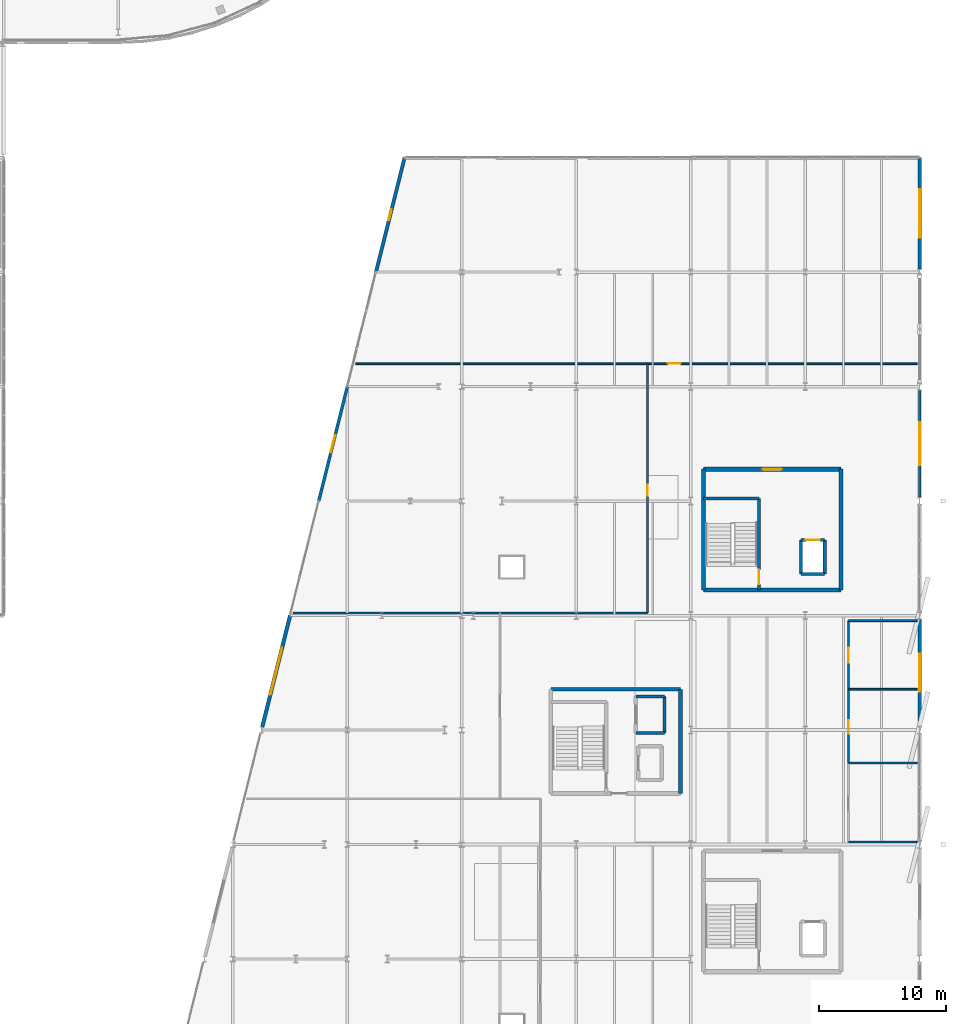
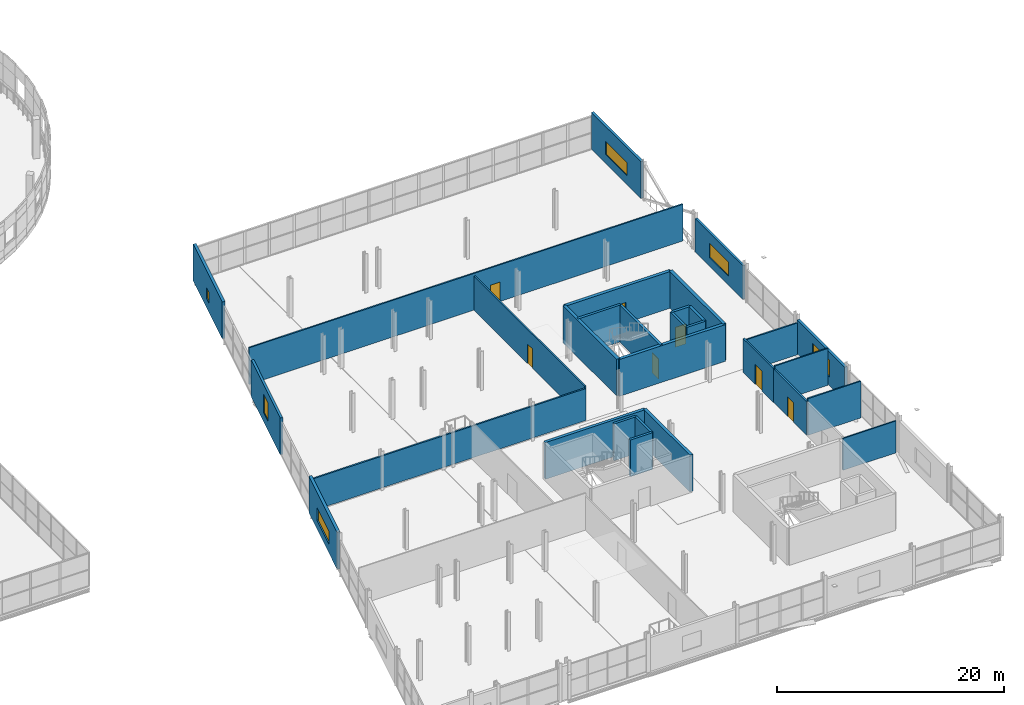
# One storey, part 74 of 88: 30 walls, 7 doors, 6 windows, 13 openings.
"""IFC4 building model written with IfcOpenShell, lengths in metres."""

from ifc_helpers import new_model, si_unit, direction, frame, frame_2d, origin, place, context, subcontext, project, spatial, rectangle, extrude, material, layer, layer_set, type_object, element, fill, save


model = new_model("IFC4")

# Units and contexts
model_context = context("Model", 3, precision=1e-05, world=origin(), true_north=direction((0.0, 1.0)))
body_context = subcontext(model_context, "Body", "Model", "MODEL_VIEW")
ifc_project = project(units=[si_unit("LENGTHUNIT", "METRE"), si_unit("AREAUNIT", "SQUARE_METRE"), si_unit("VOLUMEUNIT", "CUBIC_METRE"), si_unit("PLANEANGLEUNIT", "RADIAN"), si_unit("MASSUNIT", "GRAM", prefix="KILO")], contexts=[model_context])

# Site, building, storey
site_placement = place(None, origin())
site = spatial("IfcSite", under=ifc_project, at=site_placement, CompositionType="ELEMENT")
building_placement = place(site_placement, origin())
building = spatial("IfcBuilding", under=site, at=building_placement, Name="Deido Ridge Mobility Hub", CompositionType="ELEMENT")
storey_placement = place(building_placement, frame((0.0, 0.0, 16.800048828125)))
storey = spatial("IfcBuildingStorey", under=building, at=storey_placement, Name="L04", CompositionType="ELEMENT", Elevation=16.800048828125)

# Wall, opening, window
ifc_material_1 = material(Name="Powder-coated aluminium cladding EN AW-3003", Category="aluminium")
ifc_layer_1 = layer(ifc_material_1, 0.22509765625, Name="Powder-coated aluminium cladding EN AW-3003")
ifc_layer_set_1 = layer_set([ifc_layer_1], Name="Powder-coated aluminium cladding EN AW-3003")
wall_type_1 = type_object("IfcWallType", Name="WL-EXT-ALU-225", PredefinedType="STANDARD", material=ifc_layer_set_1)
wall_1_placement = place(storey_placement, frame((180.0, 45.300048828125, 0.0), z_axis=(0.0, 0.0, 1.0), x_axis=(0.0, 1.0, 0.0)))
wall_1 = element("IfcWall", 1, at=wall_1_placement, inside=storey, type_object=wall_type_1, Name="Exterior wall EW6", PredefinedType="STANDARD", context=body_context, shape_type="SweptSolid", body=[
    extrude(rectangle(XDim=8.39990234375, YDim=0.22509765625, at=frame_2d((4.199951171875, 0.0))), origin(), (0.0, 0.0, 1.0), 3.6298828125),
])
opening_1_placement = place(wall_1_placement, frame((2.5, 0.0, 0.949951171875)))
opening_1 = element("IfcOpeningElement", 2, at=opening_1_placement, cuts=wall_1, Name="Opening W17", PredefinedType="OPENING", context=body_context, shape_type="SweptSolid", body=[
    extrude(rectangle(XDim=3.39990234375, YDim=1.550048828125, at=frame_2d((1.699951171875, 0.77490234375))), frame((0.0, 0.12255859375, 0.0), z_axis=(0.0, -1.0, 0.0), x_axis=(1.0, 0.0, 0.0)), (0.0, 0.0, 1.0), 0.2451171875),
])
ifc_material_2 = material(Name="Laminated solar-control low-E glass", Category="glass")
window_type_1 = type_object("IfcWindowType", Name="WN-ALU-3400X1550", PartitioningType="DOUBLE_PANEL_VERTICAL", PredefinedType="WINDOW", material=ifc_material_2)
window_1_placement = place(opening_1_placement, origin())
window_1 = element("IfcWindow", 3, at=window_1_placement, inside=storey, type_object=window_type_1, Name="Exterior window W17", OverallHeight=1.550048828125, OverallWidth=3.39990234375, PartitioningType="SINGLE_PANEL", PredefinedType="WINDOW", context=body_context, shape_type="SweptSolid", body=[
    extrude(rectangle(XDim=3.39990234375, YDim=1.550048828125, at=frame_2d((1.699951171875, 0.77490234375))), frame((0.0, 0.030029296875, 0.0), z_axis=(0.0, -1.0, 0.0), x_axis=(1.0, 0.0, 0.0)), (0.0, 0.0, 1.0), 0.06005859375),
])
fill(opening_1, window_1)

ifc_material_3 = material(Name="Concrete blockwork masonry", Category="masonry")
ifc_layer_2 = layer(ifc_material_3, 0.2451171875, Name="Concrete blockwork masonry")
ifc_layer_set_2 = layer_set([ifc_layer_2], Name="Concrete blockwork masonry")
wall_type_2 = type_object("IfcWallType", Name="WL-EXT-BLK-245", PredefinedType="STANDARD", material=ifc_layer_set_2)
wall_2_placement = place(storey_placement, frame((132.75, 45.0, 0.0), z_axis=(0.0, 0.0, 1.0), x_axis=(0.242535625036, 0.970142500145, 0.0)))
wall_2 = element("IfcWall", 4, at=wall_2_placement, inside=storey, type_object=wall_type_2, Name="Exterior wall EW4", PredefinedType="STANDARD", context=body_context, shape_type="SweptSolid", body=[
    extrude(rectangle(XDim=9.277099609375, YDim=0.2451171875, at=frame_2d((4.638671875, 0.0))), origin(), (0.0, 0.0, 1.0), 3.954833984375),
])
opening_2_placement = place(wall_2_placement, frame((3.9384765625, 0.0, 0.949951171875)))
opening_2 = element("IfcOpeningElement", 5, at=opening_2_placement, cuts=wall_2, Name="Opening W21", PredefinedType="OPENING", context=body_context, shape_type="SweptSolid", body=[
    extrude(rectangle(XDim=1.39990234375, YDim=2.0, at=frame_2d((0.699951171875, 1.0))), frame((0.0, 0.132568359375, 0.0), z_axis=(0.0, -1.0, 0.0), x_axis=(1.0, 0.0, 0.0)), (0.0, 0.0, 1.0), 0.26513671875),
])
window_type_2 = type_object("IfcWindowType", Name="WN-ALU-1400X2000", PartitioningType="SINGLE_PANEL", PredefinedType="WINDOW", material=ifc_material_2)
window_2_placement = place(opening_2_placement, origin())
window_2 = element("IfcWindow", 6, at=window_2_placement, inside=storey, type_object=window_type_2, Name="Exterior window W21", OverallHeight=2.0, OverallWidth=1.39990234375, PartitioningType="SINGLE_PANEL", PredefinedType="WINDOW", context=body_context, shape_type="SweptSolid", body=[
    extrude(rectangle(XDim=1.39990234375, YDim=2.0, at=frame_2d((0.699951171875, 1.0))), frame((0.0, 0.030029296875, 0.0), z_axis=(0.0, -1.0, 0.0), x_axis=(1.0, 0.0, 0.0)), (0.0, 0.0, 1.0), 0.06005859375),
])
fill(opening_2, window_2)

ifc_layer_3 = layer(ifc_material_3, 0.264892578125, Name="Concrete blockwork masonry")
ifc_layer_set_3 = layer_set([ifc_layer_3], Name="Concrete blockwork masonry")
wall_type_3 = type_object("IfcWallType", Name="WL-EXT-BLK-265", PredefinedType="STANDARD", material=ifc_layer_set_3)
wall_3_placement = place(storey_placement, frame((180.0, 27.300048828125, 0.0), z_axis=(0.0, 0.0, 1.0), x_axis=(0.0, 1.0, 0.0)))
wall_3 = element("IfcWall", 7, at=wall_3_placement, inside=storey, type_object=wall_type_3, Name="Exterior wall EW3", PredefinedType="STANDARD", context=body_context, shape_type="SweptSolid", body=[
    extrude(rectangle(XDim=8.39990234375, YDim=0.264892578125, at=frame_2d((4.199951171875, 0.0))), origin(), (0.0, 0.0, 1.0), 3.6298828125),
])
opening_3_placement = place(wall_3_placement, frame((2.699951171875, 0.0, 0.949951171875)))
opening_3 = element("IfcOpeningElement", 8, at=opening_3_placement, cuts=wall_3, Name="Opening W15", PredefinedType="OPENING", context=body_context, shape_type="SweptSolid", body=[
    extrude(rectangle(XDim=3.0, YDim=1.800048828125, at=frame_2d((1.5, 0.89990234375))), frame((0.0, 0.142578125, 0.0), z_axis=(0.0, -1.0, 0.0), x_axis=(1.0, 0.0, 0.0)), (0.0, 0.0, 1.0), 0.284912109375),
])
window_type_3 = type_object("IfcWindowType", Name="WN-ALU-3000X1800", PartitioningType="DOUBLE_PANEL_VERTICAL", PredefinedType="WINDOW", material=ifc_material_2)
window_3_placement = place(opening_3_placement, origin())
window_3 = element("IfcWindow", 9, at=window_3_placement, inside=storey, type_object=window_type_3, Name="Exterior window W15", OverallHeight=1.800048828125, OverallWidth=3.0, PartitioningType="SINGLE_PANEL", PredefinedType="WINDOW", context=body_context, shape_type="SweptSolid", body=[
    extrude(rectangle(XDim=3.0, YDim=1.800048828125, at=frame_2d((1.5, 0.89990234375))), frame((0.0, 0.030029296875, 0.0), z_axis=(0.0, -1.0, 0.0), x_axis=(1.0, 0.0, 0.0)), (0.0, 0.0, 1.0), 0.06005859375),
])
fill(opening_3, window_3)

ifc_material_4 = material(Name="Fired clay brick masonry", Category="masonry")
ifc_layer_4 = layer(ifc_material_4, 0.294921875, Name="Fired clay brick masonry")
ifc_layer_set_4 = layer_set([ifc_layer_4], Name="Fired clay brick masonry")
wall_type_4 = type_object("IfcWallType", Name="WL-EXT-BRK-295", PredefinedType="STANDARD", material=ifc_layer_set_4)
wall_4_placement = place(storey_placement, frame((128.311767578125, 27.2470703125, 0.0), z_axis=(0.0, 0.0, 1.0), x_axis=(0.242535625036, 0.970142500145, 0.0)))
wall_4 = element("IfcWall", 10, at=wall_4_placement, inside=storey, type_object=wall_type_4, Name="Exterior wall EW2", PredefinedType="STANDARD", context=body_context, shape_type="SweptSolid", body=[
    extrude(rectangle(XDim=9.022216796875, YDim=0.294921875, at=frame_2d((4.51123046875, 0.0))), origin(), (0.0, 0.0, 1.0), 3.954833984375),
])
opening_4_placement = place(wall_4_placement, frame((2.611083984375, 0.0, 0.949951171875)))
opening_4 = element("IfcOpeningElement", 11, at=opening_4_placement, cuts=wall_4, Name="Opening W19", PredefinedType="OPENING", context=body_context, shape_type="SweptSolid", body=[
    extrude(rectangle(XDim=3.800048828125, YDim=1.39990234375, at=frame_2d((1.89990234375, 0.699951171875))), frame((0.0, 0.157470703125, 0.0), z_axis=(0.0, -1.0, 0.0), x_axis=(1.0, 0.0, 0.0)), (0.0, 0.0, 1.0), 0.31494140625),
])
window_type_4 = type_object("IfcWindowType", Name="WN-ALU-3800X1400", PartitioningType="DOUBLE_PANEL_VERTICAL", PredefinedType="WINDOW", material=ifc_material_2)
window_4_placement = place(opening_4_placement, origin())
window_4 = element("IfcWindow", 12, at=window_4_placement, inside=storey, type_object=window_type_4, Name="Exterior window W19", OverallHeight=1.39990234375, OverallWidth=3.800048828125, PartitioningType="SINGLE_PANEL", PredefinedType="WINDOW", context=body_context, shape_type="SweptSolid", body=[
    extrude(rectangle(XDim=3.800048828125, YDim=1.39990234375, at=frame_2d((1.89990234375, 0.699951171875))), frame((0.0, 0.030029296875, 0.0), z_axis=(0.0, -1.0, 0.0), x_axis=(1.0, 0.0, 0.0)), (0.0, 0.0, 1.0), 0.06005859375),
])
fill(opening_4, window_4)

ifc_layer_5 = layer(ifc_material_3, 0.2548828125, Name="Concrete blockwork masonry")
ifc_layer_set_5 = layer_set([ifc_layer_5], Name="Concrete blockwork masonry")
wall_type_5 = type_object("IfcWallType", Name="WL-PLG-BLK-255", PredefinedType="POLYGONAL", material=ifc_layer_set_5)
wall_5_placement = place(storey_placement, frame((180.0, 63.22509765625, 0.0), z_axis=(0.0, 0.0, 1.0), x_axis=(0.0, 1.0, 0.0)))
wall_5 = element("IfcWall", 13, at=wall_5_placement, inside=storey, type_object=wall_type_5, Name="Exterior wall PGW2", PredefinedType="POLYGONAL", context=body_context, shape_type="SweptSolid", body=[
    extrude(rectangle(XDim=8.77490234375, YDim=0.2548828125, at=frame_2d((4.387451171875, 0.0))), origin(), (0.0, 0.0, 1.0), 3.954833984375),
])
opening_5_placement = place(wall_5_placement, frame((2.487548828125, 0.0, 0.949951171875)))
opening_5 = element("IfcOpeningElement", 14, at=opening_5_placement, cuts=wall_5, Name="Opening W19", PredefinedType="OPENING", context=body_context, shape_type="SweptSolid", body=[
    extrude(rectangle(XDim=3.800048828125, YDim=1.39990234375, at=frame_2d((1.89990234375, 0.699951171875))), frame((0.0, 0.137451171875, 0.0), z_axis=(0.0, -1.0, 0.0), x_axis=(1.0, 0.0, 0.0)), (0.0, 0.0, 1.0), 0.27490234375),
])
window_5_placement = place(opening_5_placement, origin())
window_5 = element("IfcWindow", 15, at=window_5_placement, inside=storey, type_object=window_type_4, Name="Exterior window W19", OverallHeight=1.39990234375, OverallWidth=3.800048828125, PartitioningType="SINGLE_PANEL", PredefinedType="WINDOW", context=body_context, shape_type="SweptSolid", body=[
    extrude(rectangle(XDim=3.800048828125, YDim=1.39990234375, at=frame_2d((1.89990234375, 0.699951171875))), frame((0.0, 0.030029296875, 0.0), z_axis=(0.0, -1.0, 0.0), x_axis=(1.0, 0.0, 0.0)), (0.0, 0.0, 1.0), 0.06005859375),
])
fill(opening_5, window_5)

ifc_layer_6 = layer(ifc_material_4, 0.27490234375, Name="Fired clay brick masonry")
ifc_layer_set_6 = layer_set([ifc_layer_6], Name="Fired clay brick masonry")
wall_type_6 = type_object("IfcWallType", Name="WL-PLG-BRK-275", PredefinedType="POLYGONAL", material=ifc_layer_set_6)
wall_6_placement = place(storey_placement, frame((137.25, 63.0, 0.0), z_axis=(0.0, 0.0, 1.0), x_axis=(0.242535625036, 0.970142500145, 0.0)))
wall_6 = element("IfcWall", 16, at=wall_6_placement, inside=storey, type_object=wall_type_6, Name="Exterior wall PGW1", PredefinedType="POLYGONAL", context=body_context, shape_type="SweptSolid", body=[
    extrude(rectangle(XDim=9.277099609375, YDim=0.27490234375, at=frame_2d((4.638671875, 0.0))), origin(), (0.0, 0.0, 1.0), 3.954833984375),
])
opening_6_placement = place(wall_6_placement, frame((4.1884765625, 0.0, 0.949951171875)))
opening_6 = element("IfcOpeningElement", 17, at=opening_6_placement, cuts=wall_6, Name="Opening W1", PredefinedType="OPENING", context=body_context, shape_type="SweptSolid", body=[
    extrude(rectangle(XDim=0.89990234375, YDim=1.199951171875, at=frame_2d((0.449951171875, 0.60009765625))), frame((0.0, 0.1474609375, 0.0), z_axis=(0.0, -1.0, 0.0), x_axis=(1.0, 0.0, 0.0)), (0.0, 0.0, 1.0), 0.294921875),
])
window_type_5 = type_object("IfcWindowType", Name="WN-ALU-900X1200", PartitioningType="SINGLE_PANEL", PredefinedType="WINDOW", material=ifc_material_2)
window_6_placement = place(opening_6_placement, origin())
window_6 = element("IfcWindow", 18, at=window_6_placement, inside=storey, type_object=window_type_5, Name="Exterior window W1", OverallHeight=1.199951171875, OverallWidth=0.89990234375, PartitioningType="SINGLE_PANEL", PredefinedType="WINDOW", context=body_context, shape_type="SweptSolid", body=[
    extrude(rectangle(XDim=0.89990234375, YDim=1.199951171875, at=frame_2d((0.449951171875, 0.60009765625))), frame((0.0, 0.030029296875, 0.0), z_axis=(0.0, -1.0, 0.0), x_axis=(1.0, 0.0, 0.0)), (0.0, 0.0, 1.0), 0.06005859375),
])
fill(opening_6, window_6)

# Walls
ifc_layer_7 = layer(ifc_material_3, 0.139892578125, Name="Concrete blockwork masonry")
ifc_layer_set_7 = layer_set([ifc_layer_7], Name="Concrete blockwork masonry")
wall_type_7 = type_object("IfcWallType", Name="WL-PRT-BLK-140", PredefinedType="PARTITIONING", material=ifc_layer_set_7)
wall_7_placement = place(storey_placement, frame((174.39990234375, 18.199951171875, 0.0), z_axis=(0.0, 0.0, 1.0), x_axis=(1.0, 0.0, 0.0)))
element("IfcWall", 19, at=wall_7_placement, inside=storey, type_object=wall_type_7, Name="WC cross wall (L04)", PredefinedType="PARTITIONING", context=body_context, shape_type="SweptSolid", body=[
    extrude(rectangle(XDim=5.400146484375, YDim=0.139892578125, at=frame_2d((2.7001953125, 0.0))), origin(), (0.0, 0.0, 1.0), 3.429931640625),
])
for number, where, z_axis, x_axis, name in (
    (20, (174.39990234375, 24.39990234375, 0.0), (0.0, 0.0, 1.0), (1.0, 0.0, 0.0), "WC cross wall (L04)"),
    (21, (174.39990234375, 30.199951171875, 0.0), (0.0, 0.0, 1.0), (1.0, 0.0, 0.0), "WC cross wall (L04)"),
):
    element("IfcWall", number, at=place(storey_placement, frame(where, z_axis=z_axis, x_axis=x_axis)), inside=storey, type_object=wall_type_7, Name=name, PredefinedType="PARTITIONING", context=body_context, shape_type="SweptSolid", body=[
        extrude(rectangle(XDim=5.400146484375, YDim=0.139892578125, at=frame_2d((2.7001953125, 0.0))), origin(), (0.0, 0.0, 1.0), 3.954833984375),
    ])
wall_8_placement = place(storey_placement, frame((174.39990234375, 35.60009765625, 0.0), z_axis=(0.0, 0.0, 1.0), x_axis=(1.0, 0.0, 0.0)))
element("IfcWall", 22, at=wall_8_placement, inside=storey, type_object=wall_type_7, Name="WC cross wall (L04)", PredefinedType="PARTITIONING", context=body_context, shape_type="SweptSolid", body=[
    extrude(rectangle(XDim=5.400146484375, YDim=0.139892578125, at=frame_2d((2.7001953125, 0.0))), origin(), (0.0, 0.0, 1.0), 3.429931640625),
])

# Wall, opening, door
wall_9_placement = place(storey_placement, frame((135.64990234375, 55.800048828125, 0.0), z_axis=(0.0, 0.0, 1.0), x_axis=(1.0, 0.0, 0.0)))
wall_9 = element("IfcWall", 23, at=wall_9_placement, inside=storey, type_object=wall_type_7, Name="V6 north hall divider (L04)", PredefinedType="PARTITIONING", context=body_context, shape_type="SweptSolid", body=[
    extrude(rectangle(XDim=44.150146484375, YDim=0.139892578125, at=frame_2d((22.0751953125, 0.0))), origin(), (0.0, 0.0, 1.0), 3.954833984375),
])
opening_7_placement = place(wall_9_placement, frame((24.550048828125, 0.0, 0.0)))
opening_7 = element("IfcOpeningElement", 24, at=opening_7_placement, cuts=wall_9, Name="Opening DR-L04-180", PredefinedType="OPENING", context=body_context, shape_type="SweptSolid", body=[
    extrude(rectangle(XDim=1.0, YDim=2.10009765625, at=frame_2d((0.5, 1.050048828125))), frame((0.0, 0.080078125, 0.0), z_axis=(0.0, -1.0, 0.0), x_axis=(1.0, 0.0, 0.0)), (0.0, 0.0, 1.0), 0.159912109375),
])
ifc_material_5 = material(Name="Treated tropical hardwood timber D40", Category="wood")
door_type_1 = type_object("IfcDoorType", Name="DR-INT-1000X2100", OperationType="NOTDEFINED", PredefinedType="DOOR", material=ifc_material_5)
door_1_placement = place(opening_7_placement, origin())
door_1 = element("IfcDoor", 25, at=door_1_placement, inside=storey, type_object=door_type_1, Name="DR-I0180 V6 north hall door (L04)", OperationType="SINGLE_SWING_RIGHT", OverallHeight=2.10009765625, OverallWidth=1.0, PredefinedType="DOOR", context=body_context, shape_type="SweptSolid", body=[
    extrude(rectangle(XDim=1.0, YDim=2.10009765625, at=frame_2d((0.5, 1.050048828125))), frame((0.0, 0.02490234375, 0.0), z_axis=(0.0, -1.0, 0.0), x_axis=(1.0, 0.0, 0.0)), (0.0, 0.0, 1.0), 0.050048828125),
])
fill(opening_7, door_1)

ifc_layer_8 = layer(ifc_material_3, 0.14990234375, Name="Concrete blockwork masonry")
ifc_layer_set_8 = layer_set([ifc_layer_8], Name="Concrete blockwork masonry")
wall_type_8 = type_object("IfcWallType", Name="WL-PRT-BLK-150", PredefinedType="PARTITIONING", material=ifc_layer_set_8)
wall_10_placement = place(storey_placement, frame((158.60009765625, 36.199951171875, 0.0), z_axis=(0.0, 0.0, 1.0), x_axis=(0.0, 1.0, 0.0)))
wall_10 = element("IfcWall", 26, at=wall_10_placement, inside=storey, type_object=wall_type_8, Name="V6 north-west room wall (L04)", PredefinedType="PARTITIONING", context=body_context, shape_type="SweptSolid", body=[
    extrude(rectangle(XDim=19.60009765625, YDim=0.14990234375, at=frame_2d((9.800048828125, 0.0))), origin(), (0.0, 0.0, 1.0), 3.659912109375),
])
opening_8_placement = place(wall_10_placement, frame((9.199951171875, 0.0, 0.0)))
opening_8 = element("IfcOpeningElement", 27, at=opening_8_placement, cuts=wall_10, Name="Opening DR-L04-179", PredefinedType="OPENING", context=body_context, shape_type="SweptSolid", body=[
    extrude(rectangle(XDim=0.89990234375, YDim=2.10009765625, at=frame_2d((0.449951171875, 1.050048828125))), frame((0.0, 0.0849609375, 0.0), z_axis=(0.0, -1.0, 0.0), x_axis=(1.0, 0.0, 0.0)), (0.0, 0.0, 1.0), 0.169921875),
])
door_type_2 = type_object("IfcDoorType", Name="DR-INT-900X2100", OperationType="NOTDEFINED", PredefinedType="DOOR", material=ifc_material_5)
door_2_placement = place(opening_8_placement, origin())
door_2 = element("IfcDoor", 28, at=door_2_placement, inside=storey, type_object=door_type_2, Name="DR-I0179 V6 north-west room door (L04)", OperationType="SINGLE_SWING_LEFT", OverallHeight=2.10009765625, OverallWidth=0.89990234375, PredefinedType="DOOR", context=body_context, shape_type="SweptSolid", body=[
    extrude(rectangle(XDim=0.89990234375, YDim=2.10009765625, at=frame_2d((0.449951171875, 1.050048828125))), frame((0.0, 0.02490234375, 0.0), z_axis=(0.0, -1.0, 0.0), x_axis=(1.0, 0.0, 0.0)), (0.0, 0.0, 1.0), 0.050048828125),
])
fill(opening_8, door_2)

# Wall
ifc_layer_9 = layer(ifc_material_3, 0.159912109375, Name="Concrete blockwork masonry")
ifc_layer_set_9 = layer_set([ifc_layer_9], Name="Concrete blockwork masonry")
wall_type_9 = type_object("IfcWallType", Name="WL-PRT-BLK-160", PredefinedType="PARTITIONING", material=ifc_layer_set_9)
wall_11_placement = place(storey_placement, frame((130.75, 36.199951171875, 0.0), z_axis=(0.0, 0.0, 1.0), x_axis=(1.0, 0.0, 0.0)))
element("IfcWall", 29, at=wall_11_placement, inside=storey, type_object=wall_type_9, Name="V6 central-north cross wall (L04)", PredefinedType="PARTITIONING", context=body_context, shape_type="SweptSolid", body=[
    extrude(rectangle(XDim=27.85009765625, YDim=0.159912109375, at=frame_2d((13.925048828125, 0.0))), origin(), (0.0, 0.0, 1.0), 3.429931640625),
])

# Wall, opening, door
ifc_layer_10 = layer(ifc_material_3, 0.169921875, Name="Concrete blockwork masonry")
ifc_layer_set_10 = layer_set([ifc_layer_10], Name="Concrete blockwork masonry")
wall_type_10 = type_object("IfcWallType", Name="WL-PRT-BLK-170", PredefinedType="PARTITIONING", material=ifc_layer_set_10)
wall_12_placement = place(storey_placement, frame((174.39990234375, 24.39990234375, 0.0), z_axis=(0.0, 0.0, 1.0), x_axis=(0.0, 1.0, 0.0)))
wall_12 = element("IfcWall", 30, at=wall_12_placement, inside=storey, type_object=wall_type_10, Name="Female WC west wall (L04)", PredefinedType="PARTITIONING", context=body_context, shape_type="SweptSolid", body=[
    extrude(rectangle(XDim=5.800048828125, YDim=0.169921875, at=frame_2d((2.89990234375, 0.0))), origin(), (0.0, 0.0, 1.0), 3.6298828125),
])
opening_9_placement = place(wall_12_placement, frame((2.300048828125, 0.0, 0.0)))
opening_9 = element("IfcOpeningElement", 31, at=opening_9_placement, cuts=wall_12, Name="Opening DR-L04-174", PredefinedType="OPENING", context=body_context, shape_type="SweptSolid", body=[
    extrude(rectangle(XDim=1.050048828125, YDim=2.10009765625, at=frame_2d((0.52490234375, 1.050048828125))), frame((0.0, 0.094970703125, 0.0), z_axis=(0.0, -1.0, 0.0), x_axis=(1.0, 0.0, 0.0)), (0.0, 0.0, 1.0), 0.18994140625),
])
ifc_material_6 = material(Name="Galvanised steel work", Category="steel")
door_type_3 = type_object("IfcDoorType", Name="DR-FD60-1050X2100", OperationType="NOTDEFINED", PredefinedType="DOOR", material=ifc_material_6)
door_3_placement = place(opening_9_placement, origin())
door_3 = element("IfcDoor", 32, at=door_3_placement, inside=storey, type_object=door_type_3, Name="DR-I0174 Female WC door (L04)", OperationType="SINGLE_SWING_RIGHT", OverallHeight=2.10009765625, OverallWidth=1.050048828125, PredefinedType="DOOR", context=body_context, shape_type="SweptSolid", body=[
    extrude(rectangle(XDim=1.050048828125, YDim=2.10009765625, at=frame_2d((0.52490234375, 1.050048828125))), frame((0.0, 0.02490234375, 0.0), z_axis=(0.0, -1.0, 0.0), x_axis=(1.0, 0.0, 0.0)), (0.0, 0.0, 1.0), 0.050048828125),
])
fill(opening_9, door_3)

ifc_layer_11 = layer(ifc_material_3, 0.179931640625, Name="Concrete blockwork masonry")
ifc_layer_set_11 = layer_set([ifc_layer_11], Name="Concrete blockwork masonry")
wall_type_11 = type_object("IfcWallType", Name="WL-PRT-BLK-180", PredefinedType="PARTITIONING", material=ifc_layer_set_11)
wall_13_placement = place(storey_placement, frame((174.39990234375, 30.199951171875, 0.0), z_axis=(0.0, 0.0, 1.0), x_axis=(0.0, 1.0, 0.0)))
wall_13 = element("IfcWall", 33, at=wall_13_placement, inside=storey, type_object=wall_type_11, Name="Accessible WC west wall (L04)", PredefinedType="PARTITIONING", context=body_context, shape_type="SweptSolid", body=[
    extrude(rectangle(XDim=5.400146484375, YDim=0.179931640625, at=frame_2d((2.7001953125, 0.0))), origin(), (0.0, 0.0, 1.0), 3.6298828125),
])
opening_10_placement = place(wall_13_placement, frame((2.10009765625, 0.0, 0.0)))
opening_10 = element("IfcOpeningElement", 34, at=opening_10_placement, cuts=wall_13, Name="Opening DR-L04-175", PredefinedType="OPENING", context=body_context, shape_type="SweptSolid", body=[
    extrude(rectangle(XDim=1.14990234375, YDim=2.14990234375, at=frame_2d((0.574951171875, 1.074951171875))), frame((0.0, 0.10009765625, 0.0), z_axis=(0.0, -1.0, 0.0), x_axis=(1.0, 0.0, 0.0)), (0.0, 0.0, 1.0), 0.199951171875),
])
door_type_4 = type_object("IfcDoorType", Name="DR-FD60-1150X2150", OperationType="NOTDEFINED", PredefinedType="DOOR", material=ifc_material_6)
door_4_placement = place(opening_10_placement, origin())
door_4 = element("IfcDoor", 35, at=door_4_placement, inside=storey, type_object=door_type_4, Name="DR-I0175 Accessible WC door (L04)", OperationType="SINGLE_SWING_LEFT", OverallHeight=2.14990234375, OverallWidth=1.14990234375, PredefinedType="DOOR", context=body_context, shape_type="SweptSolid", body=[
    extrude(rectangle(XDim=1.14990234375, YDim=2.14990234375, at=frame_2d((0.574951171875, 1.074951171875))), frame((0.0, 0.02490234375, 0.0), z_axis=(0.0, -1.0, 0.0), x_axis=(1.0, 0.0, 0.0)), (0.0, 0.0, 1.0), 0.050048828125),
])
fill(opening_10, door_4)

ifc_material_7 = material(Name="Concrete C40/50", Category="concrete")
ifc_layer_12 = layer(ifc_material_7, 0.25, Name="Concrete C40/50")
ifc_layer_set_12 = layer_set([ifc_layer_12], Name="Concrete C40/50")
wall_type_12 = type_object("IfcWallType", Name="WL-SHR-RC-250", PredefinedType="SHEAR", material=ifc_layer_set_12)
wall_14_placement = place(storey_placement, frame((167.360107421875, 38.0, 0.0), z_axis=(0.0, 0.0, 1.0), x_axis=(0.0, 1.0, 0.0)))
wall_14 = element("IfcWall", 36, at=wall_14_placement, inside=storey, type_object=wall_type_12, Name="C2 stair shaft east wall", PredefinedType="SHEAR", context=body_context, shape_type="SweptSolid", body=[
    extrude(rectangle(XDim=7.199951171875, YDim=0.25, at=frame_2d((3.60009765625, 0.0))), origin(), (0.0, 0.0, 1.0), 3.954833984375),
])
opening_11_placement = place(wall_14_placement, frame((0.449951171875, 0.0, 0.0)))
opening_11 = element("IfcOpeningElement", 37, at=opening_11_placement, cuts=wall_14, Name="Opening FD-C2-L04", PredefinedType="OPENING", context=body_context, shape_type="SweptSolid", body=[
    extrude(rectangle(XDim=1.14990234375, YDim=2.14990234375, at=frame_2d((0.574951171875, 1.074951171875))), frame((0.0, 0.135009765625, 0.0), z_axis=(0.0, -1.0, 0.0), x_axis=(1.0, 0.0, 0.0)), (0.0, 0.0, 1.0), 0.27001953125),
])
door_5_placement = place(opening_11_placement, origin())
door_5 = element("IfcDoor", 38, at=door_5_placement, inside=storey, type_object=door_type_4, Name="DR-I0040 C2 protected stair door (L04)", OperationType="SINGLE_SWING_RIGHT", OverallHeight=2.14990234375, OverallWidth=1.14990234375, PredefinedType="DOOR", context=body_context, shape_type="SweptSolid", body=[
    extrude(rectangle(XDim=1.14990234375, YDim=2.14990234375, at=frame_2d((0.574951171875, 1.074951171875))), frame((0.0, 0.02490234375, 0.0), z_axis=(0.0, -1.0, 0.0), x_axis=(1.0, 0.0, 0.0)), (0.0, 0.0, 1.0), 0.050048828125),
])
fill(opening_11, door_5)

# Walls
wall_15_placement = place(storey_placement, frame((163.0, 45.199951171875, 0.0), z_axis=(0.0, 0.0, 1.0), x_axis=(1.0, 0.0, 0.0)))
element("IfcWall", 39, at=wall_15_placement, inside=storey, type_object=wall_type_12, Name="C2 stair shaft north wall", PredefinedType="SHEAR", context=body_context, shape_type="SweptSolid", body=[
    extrude(rectangle(XDim=4.360107421875, YDim=0.25, at=frame_2d((2.18017578125, 0.0))), origin(), (0.0, 0.0, 1.0), 3.954833984375),
])
wall_16_placement = place(storey_placement, frame((170.675048828125, 39.27490234375, 0.0), z_axis=(0.0, 0.0, 1.0), x_axis=(1.0, 0.0, 0.0)))
element("IfcWall", 40, at=wall_16_placement, inside=storey, type_object=wall_type_12, Name="Lift FL2 rear shaft wall", PredefinedType="SHEAR", context=body_context, shape_type="SweptSolid", body=[
    extrude(rectangle(XDim=1.849853515625, YDim=0.25, at=frame_2d((0.9248046875, 0.0))), origin(), (0.0, 0.0, 1.0), 3.954833984375),
])
for number, where, z_axis, x_axis, name in (
    (41, (170.675048828125, 39.27490234375, 0.0), (0.0, 0.0, 1.0), (0.0, 1.0, 0.0), "Lift FL2 west shaft wall"),
    (42, (172.52490234375, 39.27490234375, 0.0), (0.0, 0.0, 1.0), (0.0, 1.0, 0.0), "Lift FL2 east shaft wall"),
):
    element("IfcWall", number, at=place(storey_placement, frame(where, z_axis=z_axis, x_axis=x_axis)), inside=storey, type_object=wall_type_12, Name=name, PredefinedType="SHEAR", context=body_context, shape_type="SweptSolid", body=[
        extrude(rectangle(XDim=2.650146484375, YDim=0.25, at=frame_2d((1.3251953125, 0.0))), origin(), (0.0, 0.0, 1.0), 3.954833984375),
    ])

# Wall, opening, door
wall_17_placement = place(storey_placement, frame((170.675048828125, 41.925048828125, 0.0), z_axis=(0.0, 0.0, 1.0), x_axis=(1.0, 0.0, 0.0)))
wall_17 = element("IfcWall", 43, at=wall_17_placement, inside=storey, type_object=wall_type_12, Name="Lift FL2 landing wall", PredefinedType="SHEAR", context=body_context, shape_type="SweptSolid", body=[
    extrude(rectangle(XDim=1.849853515625, YDim=0.25, at=frame_2d((0.9248046875, 0.0))), origin(), (0.0, 0.0, 1.0), 3.954833984375),
])
opening_12_placement = place(wall_17_placement, frame((0.375, 0.0, 0.0)))
opening_12 = element("IfcOpeningElement", 44, at=opening_12_placement, cuts=wall_17, Name="Opening LD-FL2", PredefinedType="OPENING", context=body_context, shape_type="SweptSolid", body=[
    extrude(rectangle(XDim=1.10009765625, YDim=2.14990234375, at=frame_2d((0.550048828125, 1.074951171875))), frame((0.0, 0.135009765625, 0.0), z_axis=(0.0, -1.0, 0.0), x_axis=(1.0, 0.0, 0.0)), (0.0, 0.0, 1.0), 0.27001953125),
])
ifc_material_8 = material(Name="Stainless steel 316", Category="steel")
door_type_5 = type_object("IfcDoorType", Name="DR-LND-PAS-1100X2150", OperationType="DOUBLE_DOOR_SLIDING", PredefinedType="USERDEFINED", material=ifc_material_8)
door_6_placement = place(opening_12_placement, origin())
door_6 = element("IfcDoor", 45, at=door_6_placement, inside=storey, type_object=door_type_5, Name="DR-I0042 Lift FL2 sliding landing door (L04)", ObjectType="LANDING DOOR", OperationType="DOUBLE_DOOR_SLIDING", OverallHeight=2.14990234375, OverallWidth=1.10009765625, PredefinedType="USERDEFINED", context=body_context, shape_type="SweptSolid", body=[
    extrude(rectangle(XDim=1.10009765625, YDim=2.14990234375, at=frame_2d((0.550048828125, 1.074951171875))), frame((0.0, 0.02490234375, 0.0), z_axis=(0.0, -1.0, 0.0), x_axis=(1.0, 0.0, 0.0)), (0.0, 0.0, 1.0), 0.050048828125),
])
fill(opening_12, door_6)

# Walls
for number, where, z_axis, x_axis, name in (
    (46, (157.675048828125, 26.77490234375, 0.0), (0.0, 0.0, 1.0), (1.0, 0.0, 0.0), "Lift GL1 south shaft wall"),
    (47, (157.675048828125, 29.625, 0.0), (0.0, 0.0, 1.0), (1.0, 0.0, 0.0), "Lift GL1 north shaft wall"),
):
    element("IfcWall", number, at=place(storey_placement, frame(where, z_axis=z_axis, x_axis=x_axis)), inside=storey, type_object=wall_type_12, Name=name, PredefinedType="SHEAR", context=body_context, shape_type="SweptSolid", body=[
        extrude(rectangle(XDim=2.25, YDim=0.25, at=frame_2d((1.125, 0.0))), origin(), (0.0, 0.0, 1.0), 3.954833984375),
    ])
wall_18_placement = place(storey_placement, frame((159.925048828125, 26.77490234375, 0.0), z_axis=(0.0, 0.0, 1.0), x_axis=(0.0, 1.0, 0.0)))
element("IfcWall", 48, at=wall_18_placement, inside=storey, type_object=wall_type_12, Name="Lift GL1 rear shaft wall", PredefinedType="SHEAR", context=body_context, shape_type="SweptSolid", body=[
    extrude(rectangle(XDim=2.85009765625, YDim=0.25, at=frame_2d((1.425048828125, 0.0))), origin(), (0.0, 0.0, 1.0), 3.954833984375),
])
ifc_layer_13 = layer(ifc_material_7, 0.300048828125, Name="Concrete C40/50")
ifc_layer_set_13 = layer_set([ifc_layer_13], Name="Concrete C40/50")
wall_type_13 = type_object("IfcWallType", Name="WL-SHR-RC-300", PredefinedType="SHEAR", material=ifc_layer_set_13)
wall_19_placement = place(storey_placement, frame((161.199951171875, 22.0, 0.0), z_axis=(0.0, 0.0, 1.0), x_axis=(0.0, 1.0, 0.0)))
element("IfcWall", 49, at=wall_19_placement, inside=storey, type_object=wall_type_13, Name="C3 east shear wall", PredefinedType="SHEAR", context=body_context, shape_type="SweptSolid", body=[
    extrude(rectangle(XDim=8.199951171875, YDim=0.300048828125, at=frame_2d((4.10009765625, 0.0))), origin(), (0.0, 0.0, 1.0), 3.954833984375),
])
wall_20_placement = place(storey_placement, frame((161.199951171875, 30.199951171875, 0.0), z_axis=(0.0, 0.0, 1.0), x_axis=(-1.0, 0.0, 0.0)))
element("IfcWall", 50, at=wall_20_placement, inside=storey, type_object=wall_type_13, Name="C3 north shear wall", PredefinedType="SHEAR", context=body_context, shape_type="SweptSolid", body=[
    extrude(rectangle(XDim=10.199951171875, YDim=0.300048828125, at=frame_2d((5.10009765625, 0.0))), origin(), (0.0, 0.0, 1.0), 3.954833984375),
])
ifc_layer_14 = layer(ifc_material_7, 0.324951171875, Name="Concrete C40/50")
ifc_layer_set_14 = layer_set([ifc_layer_14], Name="Concrete C40/50")
wall_type_14 = type_object("IfcWallType", Name="WL-SHR-RC-325", PredefinedType="SHEAR", material=ifc_layer_set_14)
wall_21_placement = place(storey_placement, frame((163.0, 38.0, 0.0), z_axis=(0.0, 0.0, 1.0), x_axis=(1.0, 0.0, 0.0)))
element("IfcWall", 51, at=wall_21_placement, inside=storey, type_object=wall_type_14, Name="C2 south shear wall", PredefinedType="SHEAR", context=body_context, shape_type="SweptSolid", body=[
    extrude(rectangle(XDim=10.800048828125, YDim=0.324951171875, at=frame_2d((5.39990234375, 0.0))), origin(), (0.0, 0.0, 1.0), 3.954833984375),
])
wall_22_placement = place(storey_placement, frame((173.800048828125, 38.0, 0.0), z_axis=(0.0, 0.0, 1.0), x_axis=(0.0, 1.0, 0.0)))
element("IfcWall", 52, at=wall_22_placement, inside=storey, type_object=wall_type_14, Name="C2 east shear wall", PredefinedType="SHEAR", context=body_context, shape_type="SweptSolid", body=[
    extrude(rectangle(XDim=9.5, YDim=0.324951171875, at=frame_2d((4.75, 0.0))), origin(), (0.0, 0.0, 1.0), 3.954833984375),
])

# Wall, opening, door
wall_23_placement = place(storey_placement, frame((173.800048828125, 47.5, 0.0), z_axis=(0.0, 0.0, 1.0), x_axis=(-1.0, 0.0, 0.0)))
wall_23 = element("IfcWall", 53, at=wall_23_placement, inside=storey, type_object=wall_type_14, Name="C2 north shear wall", PredefinedType="SHEAR", context=body_context, shape_type="SweptSolid", body=[
    extrude(rectangle(XDim=10.800048828125, YDim=0.324951171875, at=frame_2d((5.39990234375, 0.0))), origin(), (0.0, 0.0, 1.0), 3.954833984375),
])
opening_13_placement = place(wall_23_placement, frame((4.64990234375, 0.0, 0.0)))
opening_13 = element("IfcOpeningElement", 54, at=opening_13_placement, cuts=wall_23, Name="Opening LD-C2-041", PredefinedType="OPENING", context=body_context, shape_type="SweptSolid", body=[
    extrude(rectangle(XDim=1.5, YDim=2.199951171875, at=frame_2d((0.75, 1.10009765625))), frame((0.0, 0.17236328125, 0.0), z_axis=(0.0, -1.0, 0.0), x_axis=(1.0, 0.0, 0.0)), (0.0, 0.0, 1.0), 0.344970703125),
])
door_type_6 = type_object("IfcDoorType", Name="DR-FD60-1500X2200", OperationType="DOUBLE_DOOR_SINGLE_SWING", PredefinedType="DOOR", material=ifc_material_6)
door_7_placement = place(opening_13_placement, origin())
door_7 = element("IfcDoor", 55, at=door_7_placement, inside=storey, type_object=door_type_6, Name="DR-I0041 C2 firefighting lobby door (L04)", OperationType="DOUBLE_DOOR_SINGLE_SWING", OverallHeight=2.199951171875, OverallWidth=1.5, PredefinedType="DOOR", context=body_context, shape_type="SweptSolid", body=[
    extrude(rectangle(XDim=1.5, YDim=2.199951171875, at=frame_2d((0.75, 1.10009765625))), frame((0.0, 0.02490234375, 0.0), z_axis=(0.0, -1.0, 0.0), x_axis=(1.0, 0.0, 0.0)), (0.0, 0.0, 1.0), 0.050048828125),
])
fill(opening_13, door_7)

# Wall
wall_24_placement = place(storey_placement, frame((163.0, 47.5, 0.0), z_axis=(0.0, 0.0, 1.0), x_axis=(0.0, -1.0, 0.0)))
element("IfcWall", 56, at=wall_24_placement, inside=storey, type_object=wall_type_14, Name="C2 west shear wall", PredefinedType="SHEAR", context=body_context, shape_type="SweptSolid", body=[
    extrude(rectangle(XDim=9.5, YDim=0.324951171875, at=frame_2d((4.75, 0.0))), origin(), (0.0, 0.0, 1.0), 3.954833984375),
])

save(model, "model.ifc")
